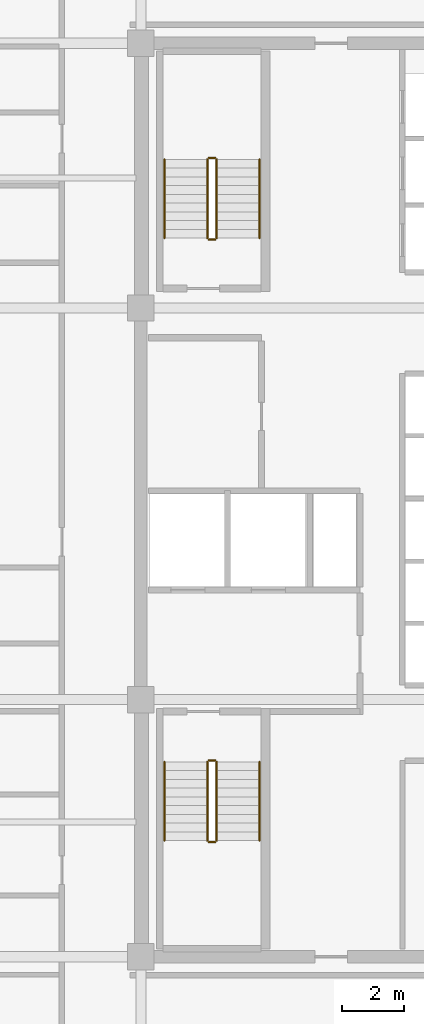
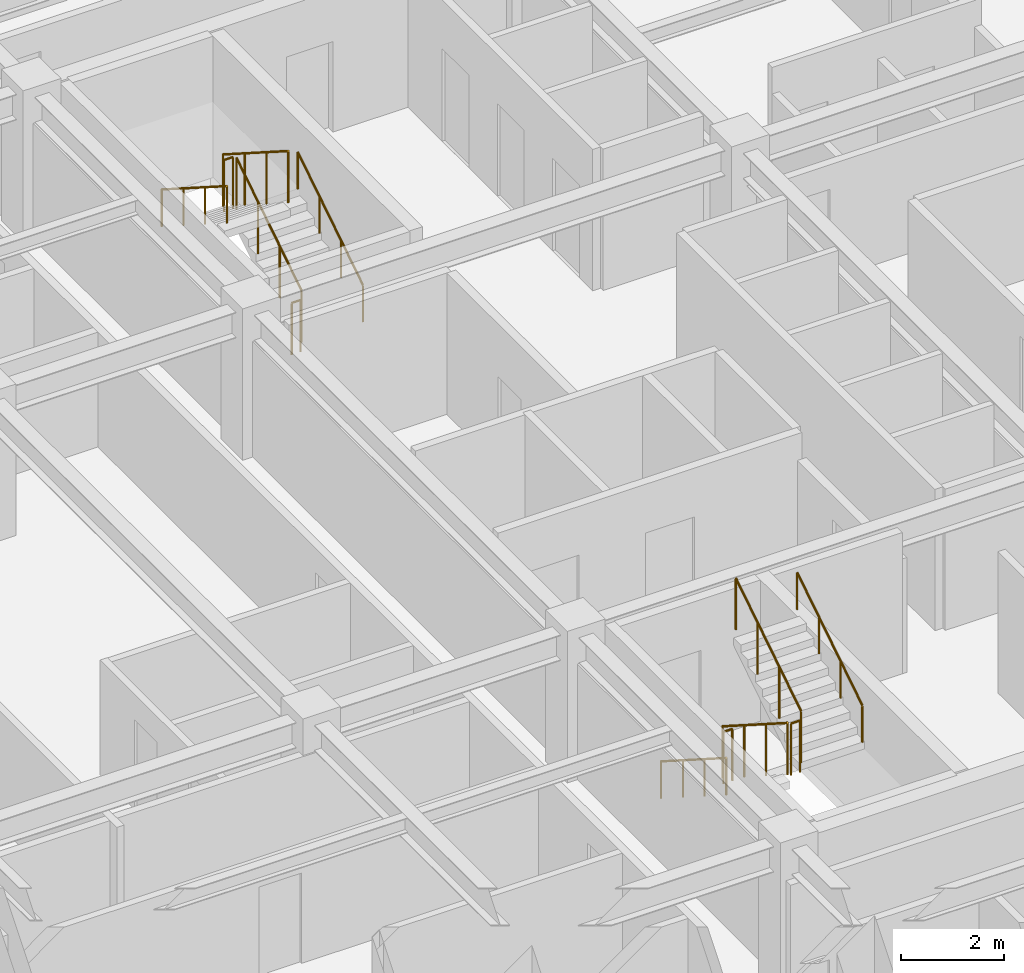
# One storey, part 9 of 9: 12 railings.
"""IFC4 building model written with IfcOpenShell, lengths in metres."""

from ifc_helpers import new_model, si_unit, direction, frame, origin, origin_2d, place, context, subcontext, project, spatial, circle, extrude, material, type_object, element, save


model = new_model("IFC4")

# Units and contexts
model_context = context("Model", 3, precision=1e-05, world=origin(), true_north=direction((0.0, 1.0)))
body_context = subcontext(model_context, "Body", "Model", "MODEL_VIEW")
ifc_project = project(units=[si_unit("LENGTHUNIT", "METRE"), si_unit("AREAUNIT", "SQUARE_METRE"), si_unit("VOLUMEUNIT", "CUBIC_METRE"), si_unit("PLANEANGLEUNIT", "RADIAN"), si_unit("MASSUNIT", "GRAM", prefix="KILO")], contexts=[model_context])

# Site, building, storey
site_placement = place(None, origin())
site = spatial("IfcSite", under=ifc_project, at=site_placement, CompositionType="ELEMENT")
building_placement = place(site_placement, origin())
building = spatial("IfcBuilding", under=site, at=building_placement, Name="Ochreholt Gables", CompositionType="ELEMENT")
storey_placement = place(building_placement, frame((0.0, 0.0, 106.199951171875)))
storey = spatial("IfcBuildingStorey", under=building, at=storey_placement, Name="L27", CompositionType="ELEMENT", Elevation=106.199951171875)

# Railings
ifc_material_1 = material(Name="Painted Steel Stair Guardrail", Category="steel")
railing_type_1 = type_object("IfcRailingType", Name="RL-ST-GUARD", PredefinedType="GUARDRAIL", material=ifc_material_1)
railing_1_placement = place(storey_placement, frame((26.35009765625, 15.5400390625, 0.179931640625)))
element("IfcRailing", 1, at=railing_1_placement, inside=storey, type_object=railing_type_1, Name="L27 ST-1 stair guard 1", PredefinedType="GUARDRAIL", context=body_context, shape_type="SweptSolid", body=[
    extrude(circle(Radius=0.02392578125, at=origin_2d()), frame((0.0, 0.0, 1.22607421875), z_axis=(0.0, -0.842912820907, 0.538050161556), x_axis=(1.0, 0.0, 0.0)), (0.0, 0.0, 1.0), 3.010986328125),
    extrude(circle(Radius=0.02099609375, at=origin_2d()), origin(), (0.0, 0.0, 1.0), 1.201904296875),
    extrude(circle(Radius=0.02099609375, at=origin_2d()), frame((0.0, -0.845947265625, 0.5400390625)), (0.0, 0.0, 1.0), 1.201904296875),
    extrude(circle(Radius=0.02099609375, at=origin_2d()), frame((0.0, -1.692138671875, 1.080078125)), (0.0, 0.0, 1.0), 1.201904296875),
    extrude(circle(Radius=0.02099609375, at=origin_2d()), frame((0.0, -2.5380859375, 1.6201171875)), (0.0, 0.0, 1.0), 1.201904296875),
])
railing_2_placement = place(storey_placement, frame((26.39990234375, 12.951904296875, 1.800048828125)))
element("IfcRailing", 2, at=railing_2_placement, inside=storey, type_object=railing_type_1, Name="L27 ST-1 stair guard 2", PredefinedType="GUARDRAIL", context=body_context, shape_type="SweptSolid", body=[
    extrude(circle(Radius=0.02392578125, at=origin_2d()), frame((0.0, 0.0, 1.22607421875), z_axis=(1.0, 0.0, 0.0), x_axis=(0.0, 1.0, 0.0)), (0.0, 0.0, 1.0), 0.2001953125),
    extrude(circle(Radius=0.02099609375, at=origin_2d()), origin(), (0.0, 0.0, 1.0), 1.201904296875),
    extrude(circle(Radius=0.02099609375, at=origin_2d()), frame((0.2001953125, 0.0, 0.0)), (0.0, 0.0, 1.0), 1.201904296875),
])
railing_3_placement = place(storey_placement, frame((26.64990234375, 13.001953125, 1.97998046875)))
element("IfcRailing", 3, at=railing_3_placement, inside=storey, type_object=railing_type_1, Name="L27 ST-1 stair guard 3", PredefinedType="GUARDRAIL", context=body_context, shape_type="SweptSolid", body=[
    extrude(circle(Radius=0.02392578125, at=origin_2d()), frame((0.0, 0.0, 1.22607421875), z_axis=(0.0, 0.842912820907, 0.538050161556), x_axis=(-1.0, 0.0, 0.0)), (0.0, 0.0, 1.0), 3.010986328125),
    extrude(circle(Radius=0.02099609375, at=origin_2d()), origin(), (0.0, 0.0, 1.0), 1.201904296875),
    extrude(circle(Radius=0.02099609375, at=origin_2d()), frame((0.0, 0.845947265625, 0.5400390625)), (0.0, 0.0, 1.0), 1.201904296875),
    extrude(circle(Radius=0.02099609375, at=origin_2d()), frame((0.0, 1.692138671875, 1.080078125)), (0.0, 0.0, 1.0), 1.201904296875),
    extrude(circle(Radius=0.02099609375, at=origin_2d()), frame((0.0, 2.5380859375, 1.6201171875)), (0.0, 0.0, 1.0), 1.201904296875),
])
railing_4_placement = place(storey_placement, frame((26.39990234375, 15.590087890625, 0.0)))
element("IfcRailing", 4, at=railing_4_placement, inside=storey, type_object=railing_type_1, Name="L27 ST-1 stair guard 4", PredefinedType="GUARDRAIL", context=body_context, shape_type="SweptSolid", body=[
    extrude(circle(Radius=0.02392578125, at=origin_2d()), frame((0.0, 0.0, 1.22607421875), z_axis=(1.0, 0.0, 0.0), x_axis=(0.0, 1.0, 0.0)), (0.0, 0.0, 1.0), 0.2001953125),
    extrude(circle(Radius=0.02099609375, at=origin_2d()), origin(), (0.0, 0.0, 1.0), 1.201904296875),
    extrude(circle(Radius=0.02099609375, at=origin_2d()), frame((0.2001953125, 0.0, 0.0)), (0.0, 0.0, 1.0), 1.201904296875),
])
railing_5_placement = place(storey_placement, frame((26.64990234375, 32.4599609375, 0.179931640625)))
element("IfcRailing", 5, at=railing_5_placement, inside=storey, type_object=railing_type_1, Name="L27 ST-2 stair guard 1", PredefinedType="GUARDRAIL", context=body_context, shape_type="SweptSolid", body=[
    extrude(circle(Radius=0.02392578125, at=origin_2d()), frame((0.0, 0.0, 1.22607421875), z_axis=(0.0, 0.842912820907, 0.538050161556), x_axis=(-1.0, 0.0, 0.0)), (0.0, 0.0, 1.0), 3.010986328125),
    extrude(circle(Radius=0.02099609375, at=origin_2d()), origin(), (0.0, 0.0, 1.0), 1.201904296875),
    extrude(circle(Radius=0.02099609375, at=origin_2d()), frame((0.0, 0.845947265625, 0.5400390625)), (0.0, 0.0, 1.0), 1.201904296875),
    extrude(circle(Radius=0.02099609375, at=origin_2d()), frame((0.0, 1.692138671875, 1.080078125)), (0.0, 0.0, 1.0), 1.201904296875),
    extrude(circle(Radius=0.02099609375, at=origin_2d()), frame((0.0, 2.5380859375, 1.6201171875)), (0.0, 0.0, 1.0), 1.201904296875),
])
railing_6_placement = place(storey_placement, frame((26.60009765625, 35.048095703125, 1.800048828125)))
element("IfcRailing", 6, at=railing_6_placement, inside=storey, type_object=railing_type_1, Name="L27 ST-2 stair guard 2", PredefinedType="GUARDRAIL", context=body_context, shape_type="SweptSolid", body=[
    extrude(circle(Radius=0.02392578125, at=origin_2d()), frame((0.0, 0.0, 1.22607421875), z_axis=(-1.0, 0.0, 0.0), x_axis=(0.0, -1.0, 0.0)), (0.0, 0.0, 1.0), 0.2001953125),
    extrude(circle(Radius=0.02099609375, at=origin_2d()), origin(), (0.0, 0.0, 1.0), 1.201904296875),
    extrude(circle(Radius=0.02099609375, at=origin_2d()), frame((-0.2001953125, 0.0, 0.0)), (0.0, 0.0, 1.0), 1.201904296875),
])
railing_7_placement = place(storey_placement, frame((26.35009765625, 34.998046875, 1.97998046875)))
element("IfcRailing", 7, at=railing_7_placement, inside=storey, type_object=railing_type_1, Name="L27 ST-2 stair guard 3", PredefinedType="GUARDRAIL", context=body_context, shape_type="SweptSolid", body=[
    extrude(circle(Radius=0.02392578125, at=origin_2d()), frame((0.0, 0.0, 1.22607421875), z_axis=(0.0, -0.842912820907, 0.538050161556), x_axis=(1.0, 0.0, 0.0)), (0.0, 0.0, 1.0), 3.010986328125),
    extrude(circle(Radius=0.02099609375, at=origin_2d()), origin(), (0.0, 0.0, 1.0), 1.201904296875),
    extrude(circle(Radius=0.02099609375, at=origin_2d()), frame((0.0, -0.845947265625, 0.5400390625)), (0.0, 0.0, 1.0), 1.201904296875),
    extrude(circle(Radius=0.02099609375, at=origin_2d()), frame((0.0, -1.692138671875, 1.080078125)), (0.0, 0.0, 1.0), 1.201904296875),
    extrude(circle(Radius=0.02099609375, at=origin_2d()), frame((0.0, -2.5380859375, 1.6201171875)), (0.0, 0.0, 1.0), 1.201904296875),
])
railing_8_placement = place(storey_placement, frame((26.60009765625, 32.409912109375, 0.0)))
element("IfcRailing", 8, at=railing_8_placement, inside=storey, type_object=railing_type_1, Name="L27 ST-2 stair guard 4", PredefinedType="GUARDRAIL", context=body_context, shape_type="SweptSolid", body=[
    extrude(circle(Radius=0.02392578125, at=origin_2d()), frame((0.0, 0.0, 1.22607421875), z_axis=(-1.0, 0.0, 0.0), x_axis=(0.0, -1.0, 0.0)), (0.0, 0.0, 1.0), 0.2001953125),
    extrude(circle(Radius=0.02099609375, at=origin_2d()), origin(), (0.0, 0.0, 1.0), 1.201904296875),
    extrude(circle(Radius=0.02099609375, at=origin_2d()), frame((-0.2001953125, 0.0, 0.0)), (0.0, 0.0, 1.0), 1.201904296875),
])
ifc_material_2 = material(Name="Brushed Stainless Steel Wall Handrail", Category="steel")
railing_type_2 = type_object("IfcRailingType", Name="RL-ST-HAND", PredefinedType="HANDRAIL", material=ifc_material_2)
railing_9_placement = place(storey_placement, frame((24.969970703125, 15.5400390625, 0.179931640625)))
element("IfcRailing", 9, at=railing_9_placement, inside=storey, type_object=railing_type_2, Name="L27 ST-1 stair handrail 1", PredefinedType="HANDRAIL", context=body_context, shape_type="SweptSolid", body=[
    extrude(circle(Radius=0.02392578125, at=origin_2d()), frame((0.0, 0.0, 0.8759765625), z_axis=(0.0, -0.842912820907, 0.538050161556), x_axis=(1.0, 0.0, 0.0)), (0.0, 0.0, 1.0), 3.010986328125),
    extrude(circle(Radius=0.02099609375, at=origin_2d()), origin(), (0.0, 0.0, 1.0), 0.851806640625),
    extrude(circle(Radius=0.02099609375, at=origin_2d()), frame((0.0, -0.845947265625, 0.5400390625)), (0.0, 0.0, 1.0), 0.851806640625),
    extrude(circle(Radius=0.02099609375, at=origin_2d()), frame((0.0, -1.692138671875, 1.080078125)), (0.0, 0.0, 1.0), 0.851806640625),
    extrude(circle(Radius=0.02099609375, at=origin_2d()), frame((0.0, -2.5380859375, 1.6201171875)), (0.0, 0.0, 1.0), 0.851806640625),
])
for number, where, name in (
    (10, (28.030029296875, 13.001953125, 1.97998046875), "L27 ST-1 stair handrail 2"),
    (11, (28.030029296875, 32.4599609375, 0.179931640625), "L27 ST-2 stair handrail 1"),
):
    element("IfcRailing", number, at=place(storey_placement, frame(where)), inside=storey, type_object=railing_type_2, Name=name, PredefinedType="HANDRAIL", context=body_context, shape_type="SweptSolid", body=[
        extrude(circle(Radius=0.02392578125, at=origin_2d()), frame((0.0, 0.0, 0.8759765625), z_axis=(0.0, 0.842912820907, 0.538050161556), x_axis=(-1.0, 0.0, 0.0)), (0.0, 0.0, 1.0), 3.010986328125),
        extrude(circle(Radius=0.02099609375, at=origin_2d()), origin(), (0.0, 0.0, 1.0), 0.851806640625),
        extrude(circle(Radius=0.02099609375, at=origin_2d()), frame((0.0, 0.845947265625, 0.5400390625)), (0.0, 0.0, 1.0), 0.851806640625),
        extrude(circle(Radius=0.02099609375, at=origin_2d()), frame((0.0, 1.692138671875, 1.080078125)), (0.0, 0.0, 1.0), 0.851806640625),
        extrude(circle(Radius=0.02099609375, at=origin_2d()), frame((0.0, 2.5380859375, 1.6201171875)), (0.0, 0.0, 1.0), 0.851806640625),
    ])
railing_10_placement = place(storey_placement, frame((24.969970703125, 34.998046875, 1.97998046875)))
element("IfcRailing", 12, at=railing_10_placement, inside=storey, type_object=railing_type_2, Name="L27 ST-2 stair handrail 2", PredefinedType="HANDRAIL", context=body_context, shape_type="SweptSolid", body=[
    extrude(circle(Radius=0.02392578125, at=origin_2d()), frame((0.0, 0.0, 0.8759765625), z_axis=(0.0, -0.842912820907, 0.538050161556), x_axis=(1.0, 0.0, 0.0)), (0.0, 0.0, 1.0), 3.010986328125),
    extrude(circle(Radius=0.02099609375, at=origin_2d()), origin(), (0.0, 0.0, 1.0), 0.851806640625),
    extrude(circle(Radius=0.02099609375, at=origin_2d()), frame((0.0, -0.845947265625, 0.5400390625)), (0.0, 0.0, 1.0), 0.851806640625),
    extrude(circle(Radius=0.02099609375, at=origin_2d()), frame((0.0, -1.692138671875, 1.080078125)), (0.0, 0.0, 1.0), 0.851806640625),
    extrude(circle(Radius=0.02099609375, at=origin_2d()), frame((0.0, -2.5380859375, 1.6201171875)), (0.0, 0.0, 1.0), 0.851806640625),
])

save(model, "model.ifc")
